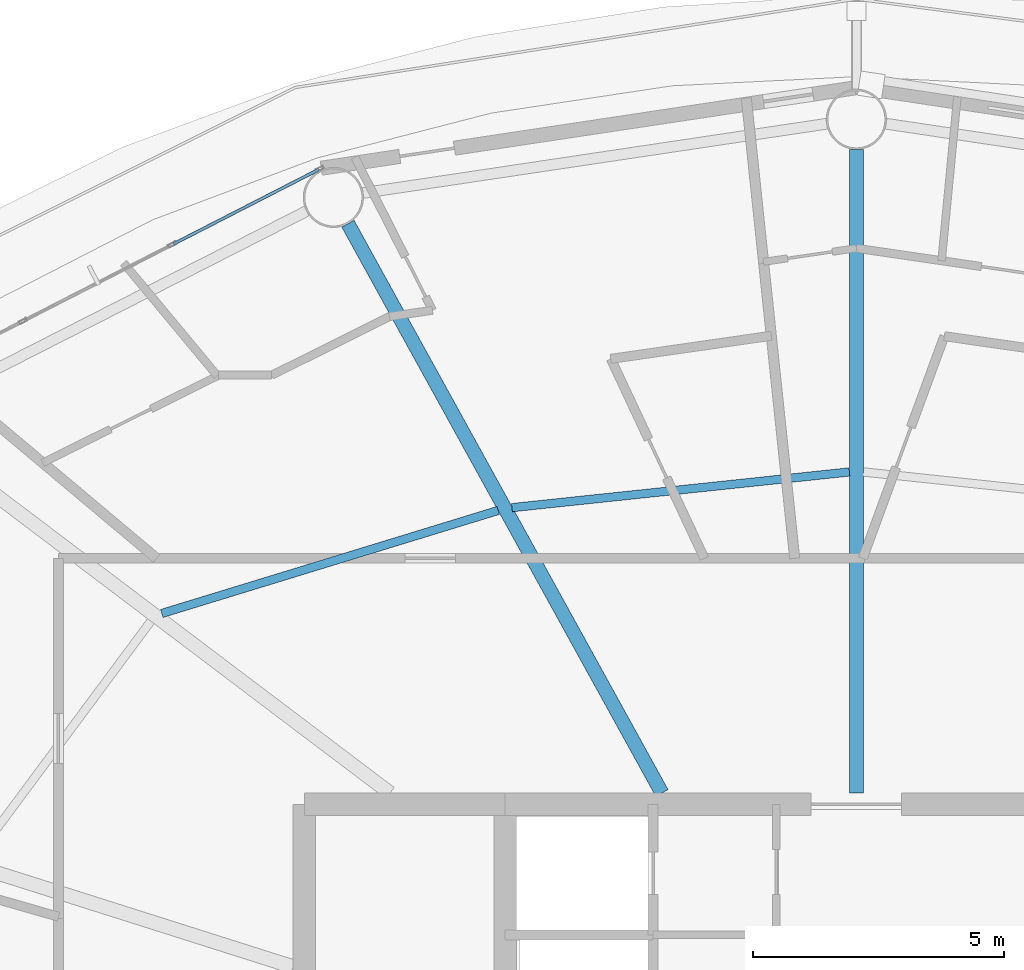
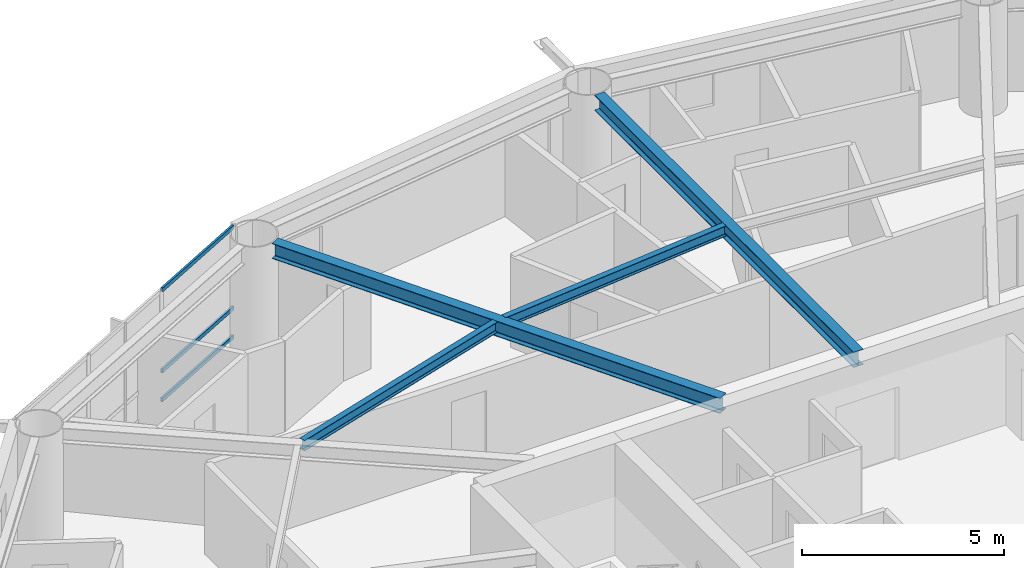
# One storey, part 12 of 28: 4 beams, 3 members, 1 element without a shape of its own.
"""IFC4 building model written with IfcOpenShell, lengths in metres."""

from ifc_helpers import new_model, si_unit, direction, frame, origin, origin_2d, place, context, subcontext, project, spatial, hollow_rectangle, i_section, extrude, material, layer, layer_set, material_profile, profile_set, type_object, element, aggregate, save


model = new_model("IFC4")

# Units and contexts
model_context = context("Model", 3, precision=1e-05, world=origin(), true_north=direction((0.0, 1.0)))
body_context = subcontext(model_context, "Body", "Model", "MODEL_VIEW")
ifc_project = project(units=[si_unit("LENGTHUNIT", "METRE"), si_unit("AREAUNIT", "SQUARE_METRE"), si_unit("VOLUMEUNIT", "CUBIC_METRE"), si_unit("PLANEANGLEUNIT", "RADIAN"), si_unit("MASSUNIT", "GRAM", prefix="KILO")], contexts=[model_context])

# Site, building, storey
site_placement = place(None, origin())
site = spatial("IfcSite", under=ifc_project, at=site_placement, CompositionType="ELEMENT")
building_placement = place(site_placement, origin())
building = spatial("IfcBuilding", under=site, at=building_placement, Name="Sarneth Arch Tower", CompositionType="ELEMENT")
storey_placement = place(building_placement, frame((0.0, 0.0, 179.39990234375)))
storey = spatial("IfcBuildingStorey", under=building, at=storey_placement, Name="L45", CompositionType="ELEMENT", Elevation=179.39990234375)

# Beams
ifc_material_1 = material(Name="Steel S355", Category="steel")
ifc_material_profile_1 = material_profile(ifc_material_1, i_section(OverallWidth=0.1669921875, OverallDepth=0.31689453125, WebThickness=0.007568359375, FlangeThickness=0.01318359375, FilletRadius=0.012939453125, at=origin_2d()), Name="W310x52")
ifc_profile_set_1 = profile_set([ifc_material_profile_1], Name="Steel S355")
beam_type_1 = type_object("IfcBeamType", Name="BM-JOIST-310B", PredefinedType="JOIST", material=ifc_profile_set_1)
beam_1_placement = place(storey_placement, frame((47.86083984375, 55.4228515625, 3.2216796875), z_axis=(-0.994447340543, -0.105235387994, 0.0), x_axis=(0.105235387994, -0.994447340543, 0.0)))
element("IfcBeam", 1, at=beam_1_placement, inside=storey, type_object=beam_type_1, Name="L45 Secondary floor joist 05", PredefinedType="JOIST", context=body_context, shape_type="SweptSolid", body=[
    extrude(i_section(OverallWidth=0.1669921875, OverallDepth=0.31689453125, WebThickness=0.007568359375, FlangeThickness=0.01318359375, FilletRadius=0.012939453125, at=origin_2d()), origin(), (0.0, 0.0, 1.0), 6.7626953125),
])
beam_2_placement = place(storey_placement, frame((40.862548828125, 54.655517578125, 3.2216796875), z_axis=(-0.956178669891, -0.292783796076, 0.0), x_axis=(0.292783796076, -0.956178669891, 0.0)))
element("IfcBeam", 2, at=beam_2_placement, inside=storey, type_object=beam_type_1, Name="L45 Secondary floor joist 06", PredefinedType="JOIST", context=body_context, shape_type="SweptSolid", body=[
    extrude(i_section(OverallWidth=0.1669921875, OverallDepth=0.31689453125, WebThickness=0.007568359375, FlangeThickness=0.01318359375, FilletRadius=0.012939453125, at=origin_2d()), origin(), (0.0, 0.0, 1.0), 7.010986328125),
])
ifc_material_2 = material(Name="Steel S355", Category="steel")
ifc_material_profile_2 = material_profile(ifc_material_2, i_section(OverallWidth=0.280029296875, OverallDepth=0.462890625, WebThickness=0.0107421875, FlangeThickness=0.017333984375, FilletRadius=0.01806640625, at=origin_2d()), Name="W460x113")
ifc_profile_set_2 = profile_set([ifc_material_profile_2], Name="Steel S355")
beam_type_2 = type_object("IfcBeamType", Name="BM-RAD-460A", PredefinedType="BEAM", material=ifc_profile_set_2)
beam_3_placement = place(storey_placement, frame((48.0, 49.02490234375, 3.148681640625), z_axis=(0.0, 1.0, 0.0), x_axis=(-1.0, 0.0, 0.0)))
element("IfcBeam", 3, at=beam_3_placement, inside=storey, type_object=beam_type_2, Name="L45 Radial floor girder 05", PredefinedType="BEAM", context=body_context, shape_type="SweptSolid", body=[
    extrude(i_section(OverallWidth=0.280029296875, OverallDepth=0.462890625, WebThickness=0.0107421875, FlangeThickness=0.017333984375, FilletRadius=0.01806640625, at=origin_2d()), origin(), (0.0, 0.0, 1.0), 12.8251953125),
])
beam_4_placement = place(storey_placement, frame((44.125, 49.02490234375, 3.148681640625), z_axis=(-0.483010082599, 0.875614789795, 0.0), x_axis=(-0.875614789795, -0.483010082599, 0.0)))
element("IfcBeam", 4, at=beam_4_placement, inside=storey, type_object=beam_type_2, Name="L45 Radial floor girder 06", PredefinedType="BEAM", context=body_context, shape_type="SweptSolid", body=[
    extrude(i_section(OverallWidth=0.280029296875, OverallDepth=0.462890625, WebThickness=0.0107421875, FlangeThickness=0.017333984375, FilletRadius=0.01806640625, at=origin_2d()), origin(), (0.0, 0.0, 1.0), 12.954345703125),
])

# Curtain wall, members
ifc_material_3 = material(Name="Anodised aluminium Type AA25 and solar-control low-e laminated IGU", Category="aluminium")
ifc_layer = layer(ifc_material_3, 0.169921875)
ifc_layer_set = layer_set([ifc_layer], Name="Anodised aluminium Type AA25 and solar-control low-e laminated IGU")
curtain_wall_type = type_object("IfcCurtainWallType", Name="CW-RES-MID", PredefinedType="NOTDEFINED", material=ifc_layer_set)
curtain_wall_placement = place(storey_placement, origin())
curtain_wall = element("IfcCurtainWall", 5, at=curtain_wall_placement, inside=storey, type_object=curtain_wall_type, Name="L45 Unitised curtain wall facet 06", PredefinedType="NOTDEFINED")
ifc_material_4 = material(Name="Anodised Aluminium 6063-T6", Category="aluminium")
ifc_material_profile_3 = material_profile(ifc_material_4, hollow_rectangle(XDim=0.06005859375, YDim=0.1201171875, WallThickness=0.00390625, at=origin_2d()), Name="AL-TRAN-120x60x4")
ifc_profile_set_3 = profile_set([ifc_material_profile_3], Name="Anodised Aluminium 6063-T6")
member_type = type_object("IfcMemberType", Name="CW-TRANSOM", PredefinedType="USERDEFINED", material=ifc_profile_set_3)
member_1_placement = place(storey_placement, frame((37.28369140625, 61.447998046875, 0.030029296875), z_axis=(-0.889857362344, -0.456238835131, 0.0), x_axis=(0.456238835131, -0.889857362344, 0.0)))
member_1 = element("IfcMember", 6, at=member_1_placement, type_object=member_type, Name="CW-SYS-5 transom 1.1", ObjectType="TRANSOM", PredefinedType="USERDEFINED", context=body_context, shape_type="SweptSolid", body=[
    extrude(hollow_rectangle(XDim=0.06005859375, YDim=0.1201171875, WallThickness=0.00390625, at=origin_2d()), origin(), (0.0, 0.0, 1.0), 3.248779296875),
])
member_2_placement = place(storey_placement, frame((37.28369140625, 61.447998046875, 0.900146484375), z_axis=(-0.889857362344, -0.456238835131, 0.0), x_axis=(0.456238835131, -0.889857362344, 0.0)))
member_2 = element("IfcMember", 7, at=member_2_placement, type_object=member_type, Name="CW-SYS-5 transom 1.2", ObjectType="TRANSOM", PredefinedType="USERDEFINED", context=body_context, shape_type="SweptSolid", body=[
    extrude(hollow_rectangle(XDim=0.06005859375, YDim=0.1201171875, WallThickness=0.00390625, at=origin_2d()), origin(), (0.0, 0.0, 1.0), 3.248779296875),
])
member_3_placement = place(storey_placement, frame((37.28369140625, 61.447998046875, 3.35009765625), z_axis=(-0.889857362344, -0.456238835131, 0.0), x_axis=(0.456238835131, -0.889857362344, 0.0)))
member_3 = element("IfcMember", 8, at=member_3_placement, type_object=member_type, Name="CW-SYS-5 transom 1.3", ObjectType="TRANSOM", PredefinedType="USERDEFINED", context=body_context, shape_type="SweptSolid", body=[
    extrude(hollow_rectangle(XDim=0.06005859375, YDim=0.1201171875, WallThickness=0.00390625, at=origin_2d()), origin(), (0.0, 0.0, 1.0), 3.248779296875),
])
aggregate(curtain_wall, [member_1, member_2, member_3])

save(model, "model.ifc")
